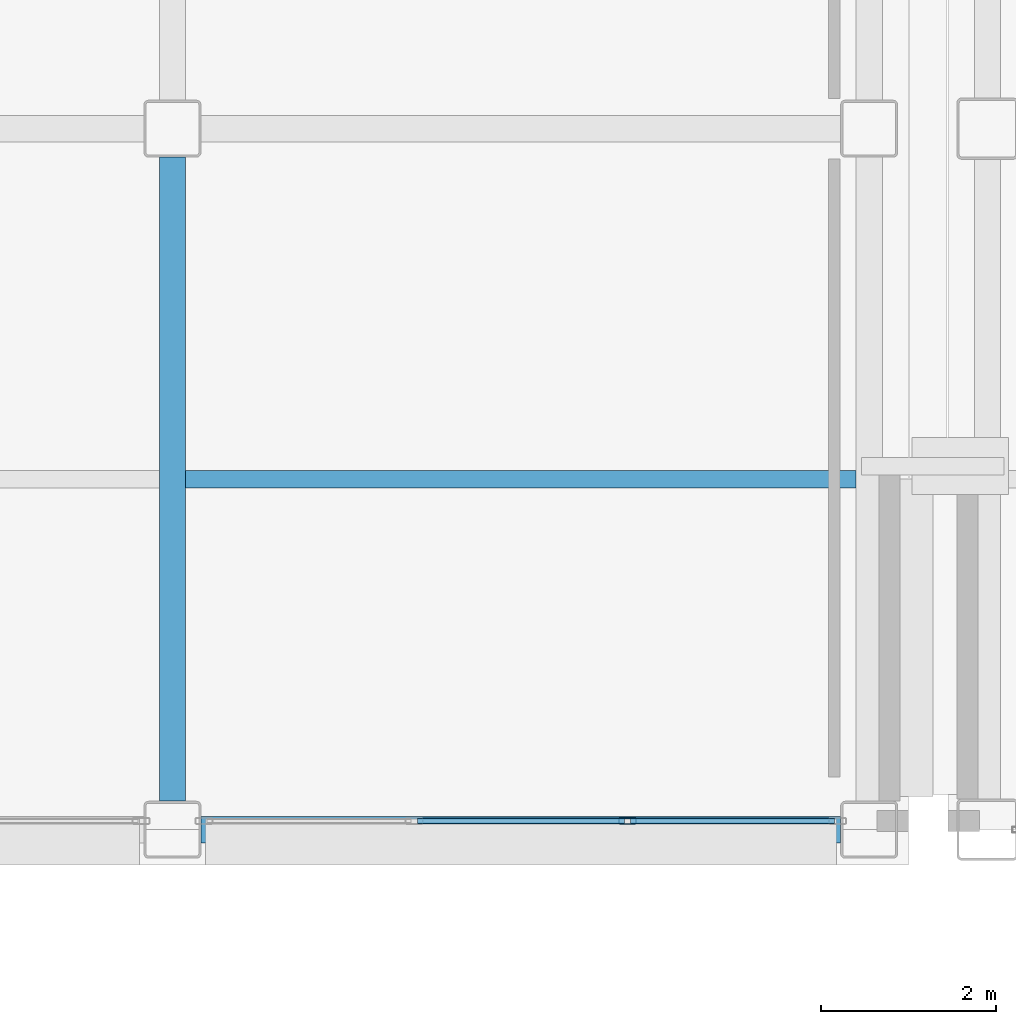
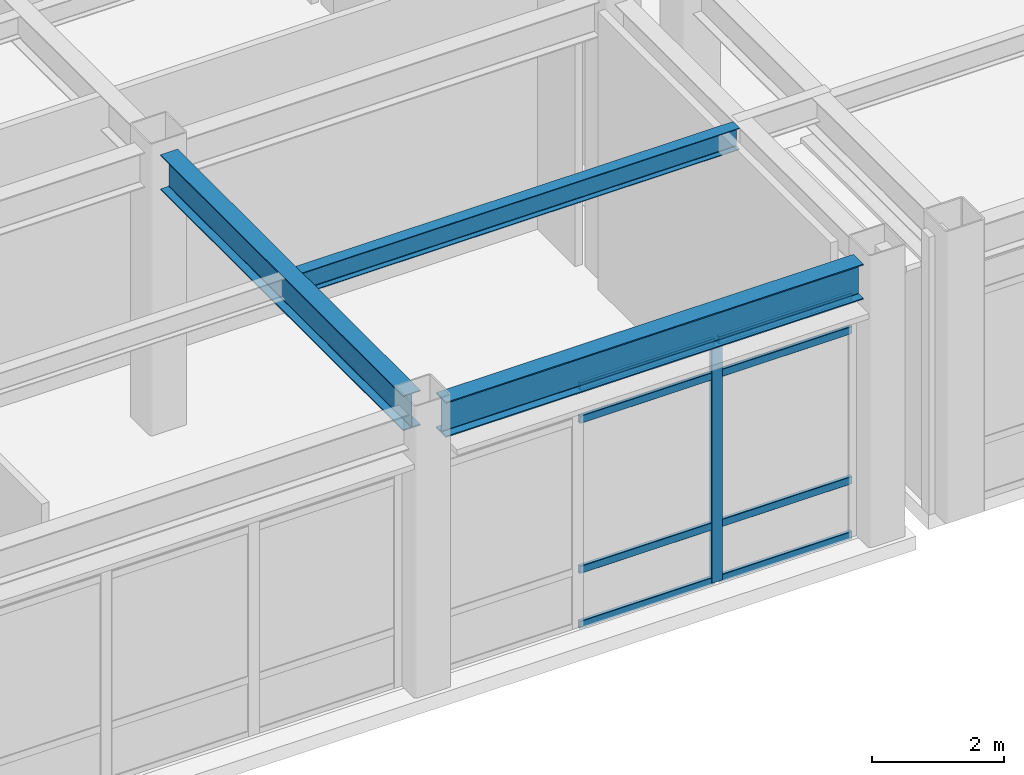
# One storey, part 43 of 165: 9 members, 3 beams, 1 element without a shape of its own.
"""IFC4 building model written with IfcOpenShell, lengths in metres."""

from ifc_helpers import new_model, si_unit, direction, frame, origin, origin_2d, place, context, subcontext, project, spatial, hollow_rectangle, i_section, extrude, material, layer, layer_set, material_profile, profile_set, type_object, element, aggregate, save


model = new_model("IFC4")

# Units and contexts
model_context = context("Model", 3, precision=1e-05, world=origin(), true_north=direction((0.0, 1.0)))
body_context = subcontext(model_context, "Body", "Model", "MODEL_VIEW")
ifc_project = project(units=[si_unit("LENGTHUNIT", "METRE"), si_unit("AREAUNIT", "SQUARE_METRE"), si_unit("VOLUMEUNIT", "CUBIC_METRE"), si_unit("PLANEANGLEUNIT", "RADIAN"), si_unit("MASSUNIT", "GRAM", prefix="KILO")], contexts=[model_context])

# Site, building, storey
site_placement = place(None, origin())
site = spatial("IfcSite", under=ifc_project, at=site_placement, CompositionType="ELEMENT")
building_placement = place(site_placement, origin())
building = spatial("IfcBuilding", under=site, at=building_placement, Name="Kazehara Bluff Congress Hotel", CompositionType="ELEMENT")
storey_placement = place(building_placement, origin())
storey = spatial("IfcBuildingStorey", under=building, at=storey_placement, Name="L00", CompositionType="ELEMENT", Elevation=0.0)

# Curtain wall, members
ifc_material_1 = material(Name="Anodised aluminium", Category="aluminium")
ifc_layer = layer(ifc_material_1, 0.159912109375)
ifc_layer_set = layer_set([ifc_layer], Name="Anodised aluminium")
curtain_wall_type = type_object("IfcCurtainWallType", Name="TP-CW-32", PredefinedType="NOTDEFINED", material=ifc_layer_set)
curtain_wall_placement = place(storey_placement, origin())
curtain_wall = element("IfcCurtainWall", 1, at=curtain_wall_placement, inside=storey, type_object=curtain_wall_type, Name="L00 curtain wall CW-32 CW-ENC-V4-L00-10522-1610", PredefinedType="NOTDEFINED")
ifc_material_2 = material(Name="Anodised aluminium", Category="aluminium")
ifc_material_profile_1 = material_profile(ifc_material_2, hollow_rectangle(XDim=0.070068359375, YDim=0.199951171875, WallThickness=0.0048828125, InnerFilletRadius=0.0048828125, OuterFilletRadius=0.010009765625, at=origin_2d()))
ifc_profile_set_1 = profile_set([ifc_material_profile_1], Name="Anodised aluminium")
member_type_1 = type_object("IfcMemberType", Name="TP-CWM-03", PredefinedType="MULLION", material=ifc_profile_set_1)
member_1_placement = place(storey_placement, frame((106.441650390625, 16.10009765625, 0.0), z_axis=(0.0, 0.0, 1.0), x_axis=(0.0, -1.0, 0.0)))
member_1 = element("IfcMember", 2, at=member_1_placement, type_object=member_type_1, Name="CW-32 mullion 2", PredefinedType="MULLION", context=body_context, shape_type="SweptSolid", body=[
    extrude(hollow_rectangle(XDim=0.070068359375, YDim=0.199951171875, WallThickness=0.0048828125, InnerFilletRadius=0.0048828125, OuterFilletRadius=0.010009765625, at=origin_2d()), origin(), (0.0, 0.0, 1.0), 4.47509765625),
])
ifc_material_3 = material(Name="Anodised aluminium", Category="aluminium")
ifc_material_profile_2 = material_profile(ifc_material_3, hollow_rectangle(XDim=0.06494140625, YDim=0.139892578125, WallThickness=0.00390625, InnerFilletRadius=0.00390625, OuterFilletRadius=0.008056640625, at=origin_2d()))
ifc_profile_set_2 = profile_set([ifc_material_profile_2], Name="Anodised aluminium")
member_type_2 = type_object("IfcMemberType", Name="TP-CWT-02", PredefinedType="USERDEFINED", material=ifc_profile_set_2)
member_2_placement = place(storey_placement, frame((108.804931640625, 16.10009765625, 0.032470703125), z_axis=(-1.0, 0.0, 0.0), x_axis=(0.0, -1.0, 0.0)))
member_2 = element("IfcMember", 3, at=member_2_placement, type_object=member_type_2, Name="CW-32 transom 1.1", ObjectType="TRANSOM", PredefinedType="USERDEFINED", context=body_context, shape_type="SweptSolid", body=[
    extrude(hollow_rectangle(XDim=0.06494140625, YDim=0.139892578125, WallThickness=0.00390625, InnerFilletRadius=0.00390625, OuterFilletRadius=0.008056640625, at=origin_2d()), origin(), (0.0, 0.0, 1.0), 2.328369140625),
])
member_3_placement = place(storey_placement, frame((108.804931640625, 16.10009765625, 1.050048828125), z_axis=(-1.0, 0.0, 0.0), x_axis=(0.0, -1.0, 0.0)))
member_3 = element("IfcMember", 4, at=member_3_placement, type_object=member_type_2, Name="CW-32 transom 1.2", ObjectType="TRANSOM", PredefinedType="USERDEFINED", context=body_context, shape_type="SweptSolid", body=[
    extrude(hollow_rectangle(XDim=0.06494140625, YDim=0.139892578125, WallThickness=0.00390625, InnerFilletRadius=0.00390625, OuterFilletRadius=0.008056640625, at=origin_2d()), origin(), (0.0, 0.0, 1.0), 2.328369140625),
])
member_4_placement = place(storey_placement, frame((108.804931640625, 16.10009765625, 3.824951171875), z_axis=(-1.0, 0.0, 0.0), x_axis=(0.0, -1.0, 0.0)))
member_4 = element("IfcMember", 5, at=member_4_placement, type_object=member_type_2, Name="CW-32 transom 1.3", ObjectType="TRANSOM", PredefinedType="USERDEFINED", context=body_context, shape_type="SweptSolid", body=[
    extrude(hollow_rectangle(XDim=0.06494140625, YDim=0.139892578125, WallThickness=0.00390625, InnerFilletRadius=0.00390625, OuterFilletRadius=0.008056640625, at=origin_2d()), origin(), (0.0, 0.0, 1.0), 2.328369140625),
])
member_5_placement = place(storey_placement, frame((108.804931640625, 16.10009765625, 4.4423828125), z_axis=(-1.0, 0.0, 0.0), x_axis=(0.0, -1.0, 0.0)))
member_5 = element("IfcMember", 6, at=member_5_placement, type_object=member_type_2, Name="CW-32 transom 1.4", ObjectType="TRANSOM", PredefinedType="USERDEFINED", context=body_context, shape_type="SweptSolid", body=[
    extrude(hollow_rectangle(XDim=0.06494140625, YDim=0.139892578125, WallThickness=0.00390625, InnerFilletRadius=0.00390625, OuterFilletRadius=0.008056640625, at=origin_2d()), origin(), (0.0, 0.0, 1.0), 2.328369140625),
])
member_6_placement = place(storey_placement, frame((106.40673828125, 16.10009765625, 0.032470703125), z_axis=(-1.0, 0.0, 0.0), x_axis=(0.0, -1.0, 0.0)))
member_6 = element("IfcMember", 7, at=member_6_placement, type_object=member_type_2, Name="CW-32 transom 2.1", ObjectType="TRANSOM", PredefinedType="USERDEFINED", context=body_context, shape_type="SweptSolid", body=[
    extrude(hollow_rectangle(XDim=0.06494140625, YDim=0.139892578125, WallThickness=0.00390625, InnerFilletRadius=0.00390625, OuterFilletRadius=0.008056640625, at=origin_2d()), origin(), (0.0, 0.0, 1.0), 2.363525390625),
])
member_7_placement = place(storey_placement, frame((106.40673828125, 16.10009765625, 1.050048828125), z_axis=(-1.0, 0.0, 0.0), x_axis=(0.0, -1.0, 0.0)))
member_7 = element("IfcMember", 8, at=member_7_placement, type_object=member_type_2, Name="CW-32 transom 2.2", ObjectType="TRANSOM", PredefinedType="USERDEFINED", context=body_context, shape_type="SweptSolid", body=[
    extrude(hollow_rectangle(XDim=0.06494140625, YDim=0.139892578125, WallThickness=0.00390625, InnerFilletRadius=0.00390625, OuterFilletRadius=0.008056640625, at=origin_2d()), origin(), (0.0, 0.0, 1.0), 2.363525390625),
])
member_8_placement = place(storey_placement, frame((106.40673828125, 16.10009765625, 3.824951171875), z_axis=(-1.0, 0.0, 0.0), x_axis=(0.0, -1.0, 0.0)))
member_8 = element("IfcMember", 9, at=member_8_placement, type_object=member_type_2, Name="CW-32 transom 2.3", ObjectType="TRANSOM", PredefinedType="USERDEFINED", context=body_context, shape_type="SweptSolid", body=[
    extrude(hollow_rectangle(XDim=0.06494140625, YDim=0.139892578125, WallThickness=0.00390625, InnerFilletRadius=0.00390625, OuterFilletRadius=0.008056640625, at=origin_2d()), origin(), (0.0, 0.0, 1.0), 2.363525390625),
])
member_9_placement = place(storey_placement, frame((106.40673828125, 16.10009765625, 4.4423828125), z_axis=(-1.0, 0.0, 0.0), x_axis=(0.0, -1.0, 0.0)))
member_9 = element("IfcMember", 10, at=member_9_placement, type_object=member_type_2, Name="CW-32 transom 2.4", ObjectType="TRANSOM", PredefinedType="USERDEFINED", context=body_context, shape_type="SweptSolid", body=[
    extrude(hollow_rectangle(XDim=0.06494140625, YDim=0.139892578125, WallThickness=0.00390625, InnerFilletRadius=0.00390625, OuterFilletRadius=0.008056640625, at=origin_2d()), origin(), (0.0, 0.0, 1.0), 2.363525390625),
])
aggregate(curtain_wall, [member_1, member_2, member_3, member_4, member_5, member_6, member_7, member_8, member_9])

# Beams
ifc_material_4 = material(Name="Steel SN490B", Category="steel")
ifc_material_profile_3 = material_profile(ifc_material_4, i_section(OverallWidth=0.300048828125, OverallDepth=0.64990234375, WebThickness=0.011962890625, FlangeThickness=0.02001953125, FilletRadius=0.012939453125, at=origin_2d()))
ifc_profile_set_3 = profile_set([ifc_material_profile_3], Name="Steel SN490B")
beam_type_1 = type_object("IfcBeamType", Name="TP-G-03", PredefinedType="BEAM", material=ifc_profile_set_3)
beam_1_placement = place(storey_placement, frame((101.25, 16.324951171875, 4.824951171875), z_axis=(0.0, 1.0, 0.0), x_axis=(-1.0, 0.0, 0.0)))
element("IfcBeam", 11, at=beam_1_placement, inside=storey, type_object=beam_type_1, Name="L00 girder G-03 175", PredefinedType="BEAM", context=body_context, shape_type="SweptSolid", body=[
    extrude(i_section(OverallWidth=0.300048828125, OverallDepth=0.64990234375, WebThickness=0.011962890625, FlangeThickness=0.02001953125, FilletRadius=0.012939453125, at=origin_2d()), origin(), (0.0, 0.0, 1.0), 7.35009765625),
])
beam_2_placement = place(storey_placement, frame((101.574951171875, 16.0, 4.824951171875), z_axis=(1.0, 0.0, 0.0), x_axis=(0.0, 1.0, 0.0)))
element("IfcBeam", 12, at=beam_2_placement, inside=storey, type_object=beam_type_1, Name="L00 girder G-03 192", PredefinedType="BEAM", context=body_context, shape_type="SweptSolid", body=[
    extrude(i_section(OverallWidth=0.300048828125, OverallDepth=0.64990234375, WebThickness=0.011962890625, FlangeThickness=0.02001953125, FilletRadius=0.012939453125, at=origin_2d()), origin(), (0.0, 0.0, 1.0), 7.300048828125),
])
ifc_material_5 = material(Name="Steel SN400B", Category="steel")
ifc_material_profile_4 = material_profile(ifc_material_5, i_section(OverallWidth=0.199951171875, OverallDepth=0.39990234375, WebThickness=0.008056640625, FlangeThickness=0.012939453125, FilletRadius=0.012939453125, at=origin_2d()))
ifc_profile_set_4 = profile_set([ifc_material_profile_4], Name="Steel SN400B")
beam_type_2 = type_object("IfcBeamType", Name="TP-J-03", PredefinedType="JOIST", material=ifc_profile_set_4)
beam_3_placement = place(storey_placement, frame((101.39990234375, 20.0, 4.949951171875), z_axis=(1.0, 0.0, 0.0), x_axis=(0.0, 1.0, 0.0)))
element("IfcBeam", 13, at=beam_3_placement, inside=storey, type_object=beam_type_2, Name="L00 secondary joist J-03 48", PredefinedType="JOIST", context=body_context, shape_type="SweptSolid", body=[
    extrude(i_section(OverallWidth=0.199951171875, OverallDepth=0.39990234375, WebThickness=0.008056640625, FlangeThickness=0.012939453125, FilletRadius=0.012939453125, at=origin_2d()), origin(), (0.0, 0.0, 1.0), 7.650146484375),
])

save(model, "model.ifc")
